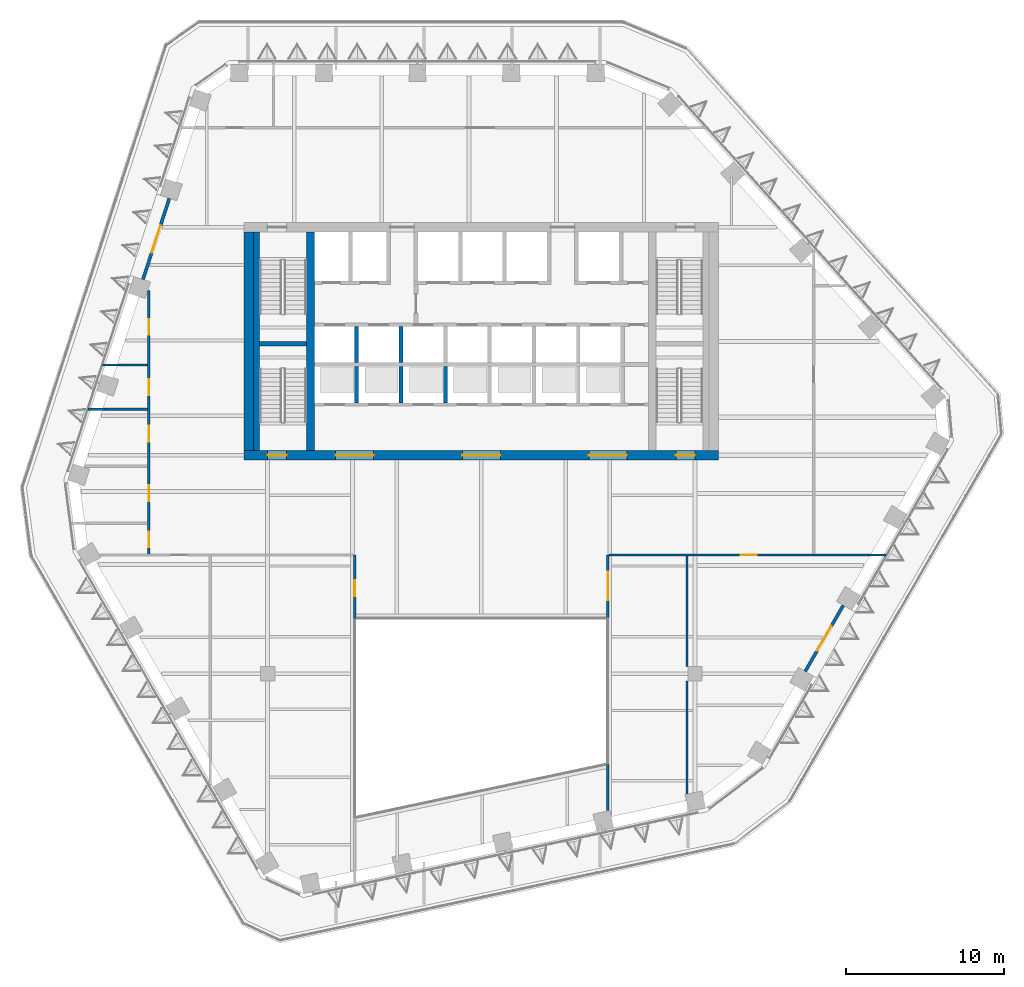
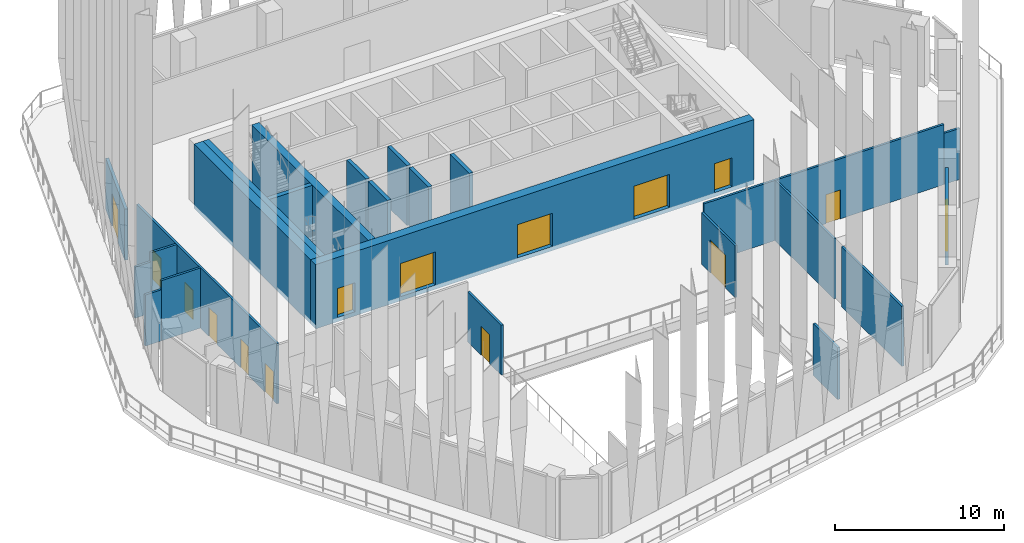
# One storey, part 9 of 21: 24 walls, 15 doors, 15 openings.
"""IFC4 building model written with IfcOpenShell, lengths in metres."""

from ifc_helpers import new_model, si_unit, direction, frame, frame_2d, origin, place, context, subcontext, project, spatial, rectangle, extrude, material, layer, layer_set, type_object, element, fill, save


model = new_model("IFC4")

# Units and contexts
model_context = context("Model", 3, precision=1e-05, world=origin(), true_north=direction((0.0, 1.0)))
body_context = subcontext(model_context, "Body", "Model", "MODEL_VIEW")
ifc_project = project(units=[si_unit("LENGTHUNIT", "METRE"), si_unit("AREAUNIT", "SQUARE_METRE"), si_unit("VOLUMEUNIT", "CUBIC_METRE"), si_unit("PLANEANGLEUNIT", "RADIAN"), si_unit("MASSUNIT", "GRAM", prefix="KILO")], contexts=[model_context])

# Site, building, storey
site_placement = place(None, origin())
site = spatial("IfcSite", under=ifc_project, at=site_placement, CompositionType="ELEMENT")
building_placement = place(site_placement, origin())
building = spatial("IfcBuilding", under=site, at=building_placement, Name="Isthmus Gate Tower", CompositionType="ELEMENT")
storey_placement = place(building_placement, frame((0.0, 0.0, 211.800048828125)))
storey = spatial("IfcBuildingStorey", under=building, at=storey_placement, Name="L53", CompositionType="ELEMENT", Elevation=211.800048828125)

# Wall, opening, door
ifc_material_1 = material(Name="Gypsum board on cold-formed steel studs", Category="steel")
ifc_layer_1 = layer(ifc_material_1, 0.14990234375)
ifc_layer_set_1 = layer_set([ifc_layer_1])
wall_type_1 = type_object("IfcWallType", Name="Partition 150 gypsum board on steel studs", PredefinedType="PARTITIONING", material=ifc_layer_set_1)
wall_1_placement = place(storey_placement, frame((8.074951171875, -6.0, 0.0), z_axis=(0.0, 0.0, 1.0), x_axis=(1.0, 0.0, 0.0)))
wall_1 = element("IfcWall", 1, at=wall_1_placement, inside=storey, type_object=wall_type_1, Name="Partition", PredefinedType="PARTITIONING", context=body_context, shape_type="SweptSolid", body=[
    extrude(rectangle(XDim=16.4150390625, YDim=0.14990234375, at=frame_2d((8.20751953125, 0.0))), origin(), (0.0, 0.0, 1.0), 4.349853515625),
])
opening_1_placement = place(wall_1_placement, frame((8.324951171875, 0.0, 0.0)))
opening_1 = element("IfcOpeningElement", 2, at=opening_1_placement, cuts=wall_1, Name="Opening DP53-12", PredefinedType="OPENING", context=body_context, shape_type="SweptSolid", body=[
    extrude(rectangle(XDim=1.0, YDim=2.10009765625, at=frame_2d((0.5, 1.050048828125))), frame((0.0, 0.0849609375, 0.0), z_axis=(0.0, -1.0, 0.0), x_axis=(1.0, 0.0, 0.0)), (0.0, 0.0, 1.0), 0.169921875),
])
ifc_material_2 = material(Name="Hollow metal frame with solid-core timber leaf", Category="wood")
door_type_1 = type_object("IfcDoorType", Name="Single swing door 1000 x 2100", OperationType="SINGLE_SWING_LEFT", PredefinedType="DOOR", material=ifc_material_2)
door_1_placement = place(opening_1_placement, origin())
door_1 = element("IfcDoor", 3, at=door_1_placement, inside=storey, type_object=door_type_1, Name="Door DP53-12", OperationType="SINGLE_SWING_LEFT", OverallHeight=2.10009765625, OverallWidth=1.0, PredefinedType="DOOR", context=body_context, shape_type="SweptSolid", body=[
    extrude(rectangle(XDim=1.0, YDim=2.10009765625, at=frame_2d((0.5, 1.050048828125))), frame((0.0, 0.02490234375, 0.0), z_axis=(0.0, -1.0, 0.0), x_axis=(1.0, 0.0, 0.0)), (0.0, 0.0, 1.0), 0.050048828125),
])
fill(opening_1, door_1)

# Walls
wall_2_placement = place(storey_placement, frame((24.489990234375, -6.0, 0.0), z_axis=(0.0, 0.0, 1.0), x_axis=(1.0, 0.0, 0.0)))
element("IfcWall", 4, at=wall_2_placement, inside=storey, type_object=wall_type_1, Name="Partition", PredefinedType="PARTITIONING", context=body_context, shape_type="SweptSolid", body=[
    extrude(rectangle(XDim=1.08349609375, YDim=0.14990234375, at=frame_2d((0.541748046875, 0.0))), origin(), (0.0, 0.0, 1.0), 3.699951171875),
])
wall_3_placement = place(storey_placement, frame((-24.84228515625, 3.199951171875, 0.0), z_axis=(0.0, 0.0, 1.0), x_axis=(1.0, 0.0, 0.0)))
element("IfcWall", 5, at=wall_3_placement, inside=storey, type_object=wall_type_1, Name="Partition", PredefinedType="PARTITIONING", context=body_context, shape_type="SweptSolid", body=[
    extrude(rectangle(XDim=1.091064453125, YDim=0.14990234375, at=frame_2d((0.54541015625, 0.0))), origin(), (0.0, 0.0, 1.0), 3.699951171875),
])
wall_4_placement = place(storey_placement, frame((-23.751220703125, 3.199951171875, 0.0), z_axis=(0.0, 0.0, 1.0), x_axis=(1.0, 0.0, 0.0)))
element("IfcWall", 6, at=wall_4_placement, inside=storey, type_object=wall_type_1, Name="Partition", PredefinedType="PARTITIONING", context=body_context, shape_type="SweptSolid", body=[
    extrude(rectangle(XDim=2.67626953125, YDim=0.14990234375, at=frame_2d((1.338134765625, 0.0))), origin(), (0.0, 0.0, 1.0), 4.349853515625),
])
wall_5_placement = place(storey_placement, frame((-23.9326171875, 6.0, 0.0), z_axis=(0.0, 0.0, 1.0), x_axis=(1.0, 0.0, 0.0)))
element("IfcWall", 7, at=wall_5_placement, inside=storey, type_object=wall_type_1, Name="Partition", PredefinedType="PARTITIONING", context=body_context, shape_type="SweptSolid", body=[
    extrude(rectangle(XDim=1.091064453125, YDim=0.14990234375, at=frame_2d((0.54541015625, 0.0))), origin(), (0.0, 0.0, 1.0), 3.699951171875),
])
wall_6_placement = place(storey_placement, frame((-22.841552734375, 6.0, 0.0), z_axis=(0.0, 0.0, 1.0), x_axis=(1.0, 0.0, 0.0)))
element("IfcWall", 8, at=wall_6_placement, inside=storey, type_object=wall_type_1, Name="Partition", PredefinedType="PARTITIONING", context=body_context, shape_type="SweptSolid", body=[
    extrude(rectangle(XDim=1.7666015625, YDim=0.14990234375, at=frame_2d((0.88330078125, 0.0))), origin(), (0.0, 0.0, 1.0), 4.349853515625),
])

# Wall, openings, doors
wall_7_placement = place(storey_placement, frame((-21.0, -5.925048828125, 0.0), z_axis=(0.0, 0.0, 1.0), x_axis=(0.0, 1.0, 0.0)))
wall_7 = element("IfcWall", 9, at=wall_7_placement, inside=storey, type_object=wall_type_1, Name="Partition", PredefinedType="PARTITIONING", context=body_context, shape_type="SweptSolid", body=[
    extrude(rectangle(XDim=16.636962890625, YDim=0.14990234375, at=frame_2d((8.318359375, 0.0))), origin(), (0.0, 0.0, 1.0), 4.349853515625),
])
opening_2_placement = place(wall_7_placement, frame((0.39990234375, 0.0, 0.0)))
opening_2 = element("IfcOpeningElement", 10, at=opening_2_placement, cuts=wall_7, Name="Opening DP53-03", PredefinedType="OPENING", context=body_context, shape_type="SweptSolid", body=[
    extrude(rectangle(XDim=1.0, YDim=2.10009765625, at=frame_2d((0.5, 1.050048828125))), frame((0.0, 0.0849609375, 0.0), z_axis=(0.0, -1.0, 0.0), x_axis=(1.0, 0.0, 0.0)), (0.0, 0.0, 1.0), 0.169921875),
])
opening_3_placement = place(wall_7_placement, frame((3.324951171875, 0.0, 0.0)))
opening_3 = element("IfcOpeningElement", 11, at=opening_3_placement, cuts=wall_7, Name="Opening DP53-04", PredefinedType="OPENING", context=body_context, shape_type="SweptSolid", body=[
    extrude(rectangle(XDim=1.0, YDim=2.10009765625, at=frame_2d((0.5, 1.050048828125))), frame((0.0, 0.0849609375, 0.0), z_axis=(0.0, -1.0, 0.0), x_axis=(1.0, 0.0, 0.0)), (0.0, 0.0, 1.0), 0.169921875),
])
opening_4_placement = place(wall_7_placement, frame((7.074951171875, 0.0, 0.0)))
opening_4 = element("IfcOpeningElement", 12, at=opening_4_placement, cuts=wall_7, Name="Opening DP53-05", PredefinedType="OPENING", context=body_context, shape_type="SweptSolid", body=[
    extrude(rectangle(XDim=1.0, YDim=2.10009765625, at=frame_2d((0.5, 1.050048828125))), frame((0.0, 0.0849609375, 0.0), z_axis=(0.0, -1.0, 0.0), x_axis=(1.0, 0.0, 0.0)), (0.0, 0.0, 1.0), 0.169921875),
])
opening_5_placement = place(wall_7_placement, frame((10.02490234375, 0.0, 0.0)))
opening_5 = element("IfcOpeningElement", 13, at=opening_5_placement, cuts=wall_7, Name="Opening DP53-06", PredefinedType="OPENING", context=body_context, shape_type="SweptSolid", body=[
    extrude(rectangle(XDim=1.0, YDim=2.10009765625, at=frame_2d((0.5, 1.050048828125))), frame((0.0, 0.0849609375, 0.0), z_axis=(0.0, -1.0, 0.0), x_axis=(1.0, 0.0, 0.0)), (0.0, 0.0, 1.0), 0.169921875),
])
opening_6_placement = place(wall_7_placement, frame((13.824951171875, 0.0, 0.0)))
opening_6 = element("IfcOpeningElement", 14, at=opening_6_placement, cuts=wall_7, Name="Opening DP53-07", PredefinedType="OPENING", context=body_context, shape_type="SweptSolid", body=[
    extrude(rectangle(XDim=1.0, YDim=2.10009765625, at=frame_2d((0.5, 1.050048828125))), frame((0.0, 0.0849609375, 0.0), z_axis=(0.0, -1.0, 0.0), x_axis=(1.0, 0.0, 0.0)), (0.0, 0.0, 1.0), 0.169921875),
])
door_2_placement = place(opening_2_placement, origin())
door_2 = element("IfcDoor", 15, at=door_2_placement, inside=storey, type_object=door_type_1, Name="Door DP53-03", OperationType="SINGLE_SWING_LEFT", OverallHeight=2.10009765625, OverallWidth=1.0, PredefinedType="DOOR", context=body_context, shape_type="SweptSolid", body=[
    extrude(rectangle(XDim=1.0, YDim=2.10009765625, at=frame_2d((0.5, 1.050048828125))), frame((0.0, 0.02490234375, 0.0), z_axis=(0.0, -1.0, 0.0), x_axis=(1.0, 0.0, 0.0)), (0.0, 0.0, 1.0), 0.050048828125),
])
fill(opening_2, door_2)
door_3_placement = place(opening_3_placement, origin())
door_3 = element("IfcDoor", 16, at=door_3_placement, inside=storey, type_object=door_type_1, Name="Door DP53-04", OperationType="SINGLE_SWING_LEFT", OverallHeight=2.10009765625, OverallWidth=1.0, PredefinedType="DOOR", context=body_context, shape_type="SweptSolid", body=[
    extrude(rectangle(XDim=1.0, YDim=2.10009765625, at=frame_2d((0.5, 1.050048828125))), frame((0.0, 0.02490234375, 0.0), z_axis=(0.0, -1.0, 0.0), x_axis=(1.0, 0.0, 0.0)), (0.0, 0.0, 1.0), 0.050048828125),
])
fill(opening_3, door_3)
door_4_placement = place(opening_4_placement, origin())
door_4 = element("IfcDoor", 17, at=door_4_placement, inside=storey, type_object=door_type_1, Name="Door DP53-05", OperationType="SINGLE_SWING_LEFT", OverallHeight=2.10009765625, OverallWidth=1.0, PredefinedType="DOOR", context=body_context, shape_type="SweptSolid", body=[
    extrude(rectangle(XDim=1.0, YDim=2.10009765625, at=frame_2d((0.5, 1.050048828125))), frame((0.0, 0.02490234375, 0.0), z_axis=(0.0, -1.0, 0.0), x_axis=(1.0, 0.0, 0.0)), (0.0, 0.0, 1.0), 0.050048828125),
])
fill(opening_4, door_4)
door_5_placement = place(opening_5_placement, origin())
door_5 = element("IfcDoor", 18, at=door_5_placement, inside=storey, type_object=door_type_1, Name="Door DP53-06", OperationType="SINGLE_SWING_LEFT", OverallHeight=2.10009765625, OverallWidth=1.0, PredefinedType="DOOR", context=body_context, shape_type="SweptSolid", body=[
    extrude(rectangle(XDim=1.0, YDim=2.10009765625, at=frame_2d((0.5, 1.050048828125))), frame((0.0, 0.02490234375, 0.0), z_axis=(0.0, -1.0, 0.0), x_axis=(1.0, 0.0, 0.0)), (0.0, 0.0, 1.0), 0.050048828125),
])
fill(opening_5, door_5)
door_6_placement = place(opening_6_placement, origin())
door_6 = element("IfcDoor", 19, at=door_6_placement, inside=storey, type_object=door_type_1, Name="Door DP53-07", OperationType="SINGLE_SWING_LEFT", OverallHeight=2.10009765625, OverallWidth=1.0, PredefinedType="DOOR", context=body_context, shape_type="SweptSolid", body=[
    extrude(rectangle(XDim=1.0, YDim=2.10009765625, at=frame_2d((0.5, 1.050048828125))), frame((0.0, 0.02490234375, 0.0), z_axis=(0.0, -1.0, 0.0), x_axis=(1.0, 0.0, 0.0)), (0.0, 0.0, 1.0), 0.050048828125),
])
fill(opening_6, door_6)

# Wall, opening, door
wall_8_placement = place(storey_placement, frame((-8.0, -10.0, 0.0), z_axis=(0.0, 0.0, 1.0), x_axis=(0.0, 1.0, 0.0)))
wall_8 = element("IfcWall", 20, at=wall_8_placement, inside=storey, type_object=wall_type_1, Name="Partition", PredefinedType="PARTITIONING", context=body_context, shape_type="SweptSolid", body=[
    extrude(rectangle(XDim=4.0, YDim=0.14990234375, at=frame_2d((2.0, 0.0))), origin(), (0.0, 0.0, 1.0), 3.6005859375),
])
opening_7_placement = place(wall_8_placement, frame((1.39990234375, 0.0, 0.0)))
opening_7 = element("IfcOpeningElement", 21, at=opening_7_placement, cuts=wall_8, Name="Opening DP53-10", PredefinedType="OPENING", context=body_context, shape_type="SweptSolid", body=[
    extrude(rectangle(XDim=1.0, YDim=2.10009765625, at=frame_2d((0.5, 1.050048828125))), frame((0.0, 0.0849609375, 0.0), z_axis=(0.0, -1.0, 0.0), x_axis=(1.0, 0.0, 0.0)), (0.0, 0.0, 1.0), 0.169921875),
])
door_7_placement = place(opening_7_placement, origin())
door_7 = element("IfcDoor", 22, at=door_7_placement, inside=storey, type_object=door_type_1, Name="Door DP53-10", OperationType="SINGLE_SWING_LEFT", OverallHeight=2.10009765625, OverallWidth=1.0, PredefinedType="DOOR", context=body_context, shape_type="SweptSolid", body=[
    extrude(rectangle(XDim=1.0, YDim=2.10009765625, at=frame_2d((0.5, 1.050048828125))), frame((0.0, 0.02490234375, 0.0), z_axis=(0.0, -1.0, 0.0), x_axis=(1.0, 0.0, 0.0)), (0.0, 0.0, 1.0), 0.050048828125),
])
fill(opening_7, door_7)

# Wall
wall_9_placement = place(storey_placement, frame((8.0, -22.158935546875, 0.0), z_axis=(0.0, 0.0, 1.0), x_axis=(0.0, 1.0, 0.0)))
element("IfcWall", 23, at=wall_9_placement, inside=storey, type_object=wall_type_1, Name="Partition", PredefinedType="PARTITIONING", context=body_context, shape_type="SweptSolid", body=[
    extrude(rectangle(XDim=2.90771484375, YDim=0.14990234375, at=frame_2d((1.453857421875, 0.0))), origin(), (0.0, 0.0, 1.0), 3.74365234375),
])

# Wall, opening, door
wall_10_placement = place(storey_placement, frame((8.0, -10.0, 0.0), z_axis=(0.0, 0.0, 1.0), x_axis=(0.0, 1.0, 0.0)))
wall_10 = element("IfcWall", 24, at=wall_10_placement, inside=storey, type_object=wall_type_1, Name="Partition", PredefinedType="PARTITIONING", context=body_context, shape_type="SweptSolid", body=[
    extrude(rectangle(XDim=4.0, YDim=0.14990234375, at=frame_2d((2.0, 0.0))), origin(), (0.0, 0.0, 1.0), 3.74365234375),
])
opening_8_placement = place(wall_10_placement, frame((1.14990234375, 0.0, 0.0)))
opening_8 = element("IfcOpeningElement", 25, at=opening_8_placement, cuts=wall_10, Name="Opening DP53-11", PredefinedType="OPENING", context=body_context, shape_type="SweptSolid", body=[
    extrude(rectangle(XDim=1.800048828125, YDim=2.39990234375, at=frame_2d((0.89990234375, 1.199951171875))), frame((0.0, 0.0849609375, 0.0), z_axis=(0.0, -1.0, 0.0), x_axis=(1.0, 0.0, 0.0)), (0.0, 0.0, 1.0), 0.169921875),
])
ifc_material_3 = material(Name="Hollow metal frame with solid-core timber leaves", Category="wood")
door_type_2 = type_object("IfcDoorType", Name="Double swing door 1800 x 2400", OperationType="DOUBLE_DOOR_SINGLE_SWING", PredefinedType="DOOR", material=ifc_material_3)
door_8_placement = place(opening_8_placement, origin())
door_8 = element("IfcDoor", 26, at=door_8_placement, inside=storey, type_object=door_type_2, Name="Door DP53-11", OperationType="SINGLE_SWING_LEFT", OverallHeight=2.39990234375, OverallWidth=1.800048828125, PredefinedType="DOOR", context=body_context, shape_type="SweptSolid", body=[
    extrude(rectangle(XDim=1.800048828125, YDim=2.39990234375, at=frame_2d((0.89990234375, 1.199951171875))), frame((0.0, 0.02490234375, 0.0), z_axis=(0.0, -1.0, 0.0), x_axis=(1.0, 0.0, 0.0)), (0.0, 0.0, 1.0), 0.050048828125),
])
fill(opening_8, door_8)

# Walls
wall_11_placement = place(storey_placement, frame((13.0, -21.09619140625, 0.0), z_axis=(0.0, 0.0, 1.0), x_axis=(0.0, 1.0, 0.0)))
element("IfcWall", 27, at=wall_11_placement, inside=storey, type_object=wall_type_1, Name="Partition", PredefinedType="PARTITIONING", context=body_context, shape_type="SweptSolid", body=[
    extrude(rectangle(XDim=7.146240234375, YDim=0.14990234375, at=frame_2d((3.5732421875, 0.0))), origin(), (0.0, 0.0, 1.0), 4.349853515625),
])
wall_12_placement = place(storey_placement, frame((13.0, -13.050048828125, 0.0), z_axis=(0.0, 0.0, 1.0), x_axis=(0.0, 1.0, 0.0)))
element("IfcWall", 28, at=wall_12_placement, inside=storey, type_object=wall_type_1, Name="Partition", PredefinedType="PARTITIONING", context=body_context, shape_type="SweptSolid", body=[
    extrude(rectangle(XDim=6.97509765625, YDim=0.14990234375, at=frame_2d((3.487548828125, 0.0))), origin(), (0.0, 0.0, 1.0), 4.349853515625),
])
ifc_material_4 = material(Name="Concrete f'c 50 MPa", Category="concrete")
ifc_layer_2 = layer(ifc_material_4, 0.5)
ifc_layer_set_2 = layer_set([ifc_layer_2], Name="RC CORE SPINE WALL 500 F'C 50")
wall_type_2 = type_object("IfcWallType", Name="RC CORE SPINE WALL 500 F'C 50", PredefinedType="SOLIDWALL", material=ifc_layer_set_2)
wall_13_placement = place(storey_placement, frame((-10.800048828125, 0.60009765625, -0.300048828125), z_axis=(0.0, 0.0, 1.0), x_axis=(0.0, 1.0, 0.0)))
element("IfcWall", 29, at=wall_13_placement, inside=storey, type_object=wall_type_2, Name="str-corewall-L53-SPW", PredefinedType="SOLIDWALL", context=body_context, shape_type="SweptSolid", body=[
    extrude(rectangle(XDim=13.7998046875, YDim=0.5, at=frame_2d((6.89990234375, 0.0))), origin(), (0.0, 0.0, 1.0), 4.64990234375),
])

# Wall, openings, doors
ifc_material_5 = material(Name="Concrete f'c 50 MPa", Category="concrete")
ifc_layer_3 = layer(ifc_material_5, 0.60009765625)
ifc_layer_set_3 = layer_set([ifc_layer_3], Name="RC CORE WALL 600 F'C 50")
wall_type_3 = type_object("IfcWallType", Name="RC CORE WALL 600 F'C 50", PredefinedType="SOLIDWALL", material=ifc_layer_set_3)
wall_14_placement = place(storey_placement, frame((-15.0, 0.300048828125, -0.300048828125), z_axis=(0.0, 0.0, 1.0), x_axis=(1.0, 0.0, 0.0)))
wall_14 = element("IfcWall", 30, at=wall_14_placement, inside=storey, type_object=wall_type_3, Name="str-corewall-L53-S", PredefinedType="SOLIDWALL", context=body_context, shape_type="SweptSolid", body=[
    extrude(rectangle(XDim=30.0, YDim=0.60009765625, at=frame_2d((15.0, 0.0))), origin(), (0.0, 0.0, 1.0), 4.64990234375),
])
opening_9_placement = place(wall_14_placement, frame((5.800048828125, 0.0, 0.300048828125)))
opening_9 = element("IfcOpeningElement", 31, at=opening_9_placement, cuts=wall_14, Name="Opening DC-A15-05", PredefinedType="OPENING", context=body_context, shape_type="SweptSolid", body=[
    extrude(rectangle(XDim=2.39990234375, YDim=2.39990234375, at=frame_2d((1.199951171875, 1.199951171875))), frame((0.0, 0.31005859375, 0.0), z_axis=(0.0, -1.0, 0.0), x_axis=(1.0, 0.0, 0.0)), (0.0, 0.0, 1.0), 0.6201171875),
])
opening_10_placement = place(wall_14_placement, frame((13.800048828125, 0.0, 0.300048828125)))
opening_10 = element("IfcOpeningElement", 32, at=opening_10_placement, cuts=wall_14, Name="Opening DC-A15-06", PredefinedType="OPENING", context=body_context, shape_type="SweptSolid", body=[
    extrude(rectangle(XDim=2.39990234375, YDim=2.39990234375, at=frame_2d((1.199951171875, 1.199951171875))), frame((0.0, 0.31005859375, 0.0), z_axis=(0.0, -1.0, 0.0), x_axis=(1.0, 0.0, 0.0)), (0.0, 0.0, 1.0), 0.6201171875),
])
opening_11_placement = place(wall_14_placement, frame((21.800048828125, 0.0, 0.300048828125)))
opening_11 = element("IfcOpeningElement", 33, at=opening_11_placement, cuts=wall_14, Name="Opening DC-A15-07", PredefinedType="OPENING", context=body_context, shape_type="SweptSolid", body=[
    extrude(rectangle(XDim=2.39990234375, YDim=2.39990234375, at=frame_2d((1.199951171875, 1.199951171875))), frame((0.0, 0.31005859375, 0.0), z_axis=(0.0, -1.0, 0.0), x_axis=(1.0, 0.0, 0.0)), (0.0, 0.0, 1.0), 0.6201171875),
])
opening_12_placement = place(wall_14_placement, frame((1.5, 0.0, 0.300048828125)))
opening_12 = element("IfcOpeningElement", 34, at=opening_12_placement, cuts=wall_14, Name="Opening DC-A15-12", PredefinedType="OPENING", context=body_context, shape_type="SweptSolid", body=[
    extrude(rectangle(XDim=1.199951171875, YDim=2.10009765625, at=frame_2d((0.60009765625, 1.050048828125))), frame((0.0, 0.31005859375, 0.0), z_axis=(0.0, -1.0, 0.0), x_axis=(1.0, 0.0, 0.0)), (0.0, 0.0, 1.0), 0.6201171875),
])
opening_13_placement = place(wall_14_placement, frame((27.300048828125, 0.0, 0.300048828125)))
opening_13 = element("IfcOpeningElement", 35, at=opening_13_placement, cuts=wall_14, Name="Opening DC-A15-13", PredefinedType="OPENING", context=body_context, shape_type="SweptSolid", body=[
    extrude(rectangle(XDim=1.199951171875, YDim=2.10009765625, at=frame_2d((0.60009765625, 1.050048828125))), frame((0.0, 0.31005859375, 0.0), z_axis=(0.0, -1.0, 0.0), x_axis=(1.0, 0.0, 0.0)), (0.0, 0.0, 1.0), 0.6201171875),
])
ifc_material_6 = material(Name="Laminated safety glass in steel frame, fire-rated", Category="steel")
door_type_3 = type_object("IfcDoorType", Name="LOBBY ENTRANCE FIRE DOOR 2400 X 2400 60 MIN", OperationType="DOUBLE_DOOR_DOUBLE_SWING", PredefinedType="DOOR", material=ifc_material_6)
door_9_placement = place(opening_9_placement, origin())
door_9 = element("IfcDoor", 36, at=door_9_placement, inside=storey, type_object=door_type_3, Name="Lobby Entrance PS-W", OperationType="DOUBLE_DOOR_DOUBLE_SWING", OverallHeight=2.39990234375, OverallWidth=2.39990234375, PredefinedType="DOOR", context=body_context, shape_type="SweptSolid", body=[
    extrude(rectangle(XDim=2.39990234375, YDim=2.39990234375, at=frame_2d((1.199951171875, 1.199951171875))), frame((0.0, 0.02490234375, 0.0), z_axis=(0.0, -1.0, 0.0), x_axis=(1.0, 0.0, 0.0)), (0.0, 0.0, 1.0), 0.050048828125),
])
fill(opening_9, door_9)
door_10_placement = place(opening_10_placement, origin())
door_10 = element("IfcDoor", 37, at=door_10_placement, inside=storey, type_object=door_type_3, Name="Lobby Entrance PS-C", OperationType="DOUBLE_DOOR_DOUBLE_SWING", OverallHeight=2.39990234375, OverallWidth=2.39990234375, PredefinedType="DOOR", context=body_context, shape_type="SweptSolid", body=[
    extrude(rectangle(XDim=2.39990234375, YDim=2.39990234375, at=frame_2d((1.199951171875, 1.199951171875))), frame((0.0, 0.02490234375, 0.0), z_axis=(0.0, -1.0, 0.0), x_axis=(1.0, 0.0, 0.0)), (0.0, 0.0, 1.0), 0.050048828125),
])
fill(opening_10, door_10)
door_11_placement = place(opening_11_placement, origin())
door_11 = element("IfcDoor", 38, at=door_11_placement, inside=storey, type_object=door_type_3, Name="Lobby Entrance PS-E", OperationType="DOUBLE_DOOR_DOUBLE_SWING", OverallHeight=2.39990234375, OverallWidth=2.39990234375, PredefinedType="DOOR", context=body_context, shape_type="SweptSolid", body=[
    extrude(rectangle(XDim=2.39990234375, YDim=2.39990234375, at=frame_2d((1.199951171875, 1.199951171875))), frame((0.0, 0.02490234375, 0.0), z_axis=(0.0, -1.0, 0.0), x_axis=(1.0, 0.0, 0.0)), (0.0, 0.0, 1.0), 0.050048828125),
])
fill(opening_11, door_11)
ifc_material_7 = material(Name="Steel door leaf, fire-rated", Category="steel")
door_type_4 = type_object("IfcDoorType", Name="STAIR FIRE DOOR 1200 X 2100 90 MIN", OperationType="SINGLE_SWING_LEFT", PredefinedType="DOOR", material=ifc_material_7)
door_12_placement = place(opening_12_placement, origin())
door_12 = element("IfcDoor", 39, at=door_12_placement, inside=storey, type_object=door_type_4, Name="Exit Stair 7 Door", OperationType="SINGLE_SWING_LEFT", OverallHeight=2.10009765625, OverallWidth=1.199951171875, PredefinedType="DOOR", context=body_context, shape_type="SweptSolid", body=[
    extrude(rectangle(XDim=1.199951171875, YDim=2.10009765625, at=frame_2d((0.60009765625, 1.050048828125))), frame((0.0, 0.02490234375, 0.0), z_axis=(0.0, -1.0, 0.0), x_axis=(1.0, 0.0, 0.0)), (0.0, 0.0, 1.0), 0.050048828125),
])
fill(opening_12, door_12)
door_13_placement = place(opening_13_placement, origin())
door_13 = element("IfcDoor", 40, at=door_13_placement, inside=storey, type_object=door_type_4, Name="Exit Stair 8 Door", OperationType="SINGLE_SWING_RIGHT", OverallHeight=2.10009765625, OverallWidth=1.199951171875, PredefinedType="DOOR", context=body_context, shape_type="SweptSolid", body=[
    extrude(rectangle(XDim=1.199951171875, YDim=2.10009765625, at=frame_2d((0.60009765625, 1.050048828125))), frame((0.0, 0.02490234375, 0.0), z_axis=(0.0, -1.0, 0.0), x_axis=(1.0, 0.0, 0.0)), (0.0, 0.0, 1.0), 0.050048828125),
])
fill(opening_13, door_13)

# Walls
wall_15_placement = place(storey_placement, frame((-14.699951171875, 0.60009765625, -0.300048828125), z_axis=(0.0, 0.0, 1.0), x_axis=(0.0, 1.0, 0.0)))
element("IfcWall", 41, at=wall_15_placement, inside=storey, type_object=wall_type_3, Name="str-corewall-L53-W", PredefinedType="SOLIDWALL", context=body_context, shape_type="SweptSolid", body=[
    extrude(rectangle(XDim=13.7998046875, YDim=0.60009765625, at=frame_2d((6.89990234375, 0.0))), origin(), (0.0, 0.0, 1.0), 4.64990234375),
])
ifc_material_8 = material(Name="Fire-rated blockwork masonry, 15 MPa", Category="masonry")
ifc_layer_4 = layer(ifc_material_8, 0.25)
ifc_layer_set_4 = layer_set([ifc_layer_4], Name="SHAFT WALL 250 120 MIN")
wall_type_4 = type_object("IfcWallType", Name="SHAFT WALL 250 120 MIN", PredefinedType="PARTITIONING", material=ifc_layer_set_4)
for number, where, z_axis, x_axis, name in (
    (42, (-7.875, 3.60009765625, 0.0), (0.0, 0.0, 1.0), (0.0, 1.0, 0.0), "L53 SHAFT WALL 250 120 MIN"),
    (43, (-5.074951171875, 3.60009765625, 0.0), (0.0, 0.0, 1.0), (0.0, 1.0, 0.0), "L53 SHAFT WALL 250 120 MIN"),
    (44, (-2.27490234375, 3.60009765625, 0.0), (0.0, 0.0, 1.0), (0.0, 1.0, 0.0), "L53 SHAFT WALL 250 120 MIN"),
):
    element("IfcWall", number, at=place(storey_placement, frame(where, z_axis=z_axis, x_axis=x_axis)), inside=storey, type_object=wall_type_4, Name=name, PredefinedType="PARTITIONING", context=body_context, shape_type="SweptSolid", body=[
        extrude(rectangle(XDim=2.2998046875, YDim=0.25, at=frame_2d((1.14990234375, 0.0))), origin(), (0.0, 0.0, 1.0), 4.349853515625),
    ])
for number, where, z_axis, x_axis, name in (
    (45, (-7.875, 6.14990234375, 0.0), (0.0, 0.0, 1.0), (0.0, 1.0, 0.0), "L53 SHAFT WALL 250 120 MIN"),
    (46, (-5.074951171875, 6.14990234375, 0.0), (0.0, 0.0, 1.0), (0.0, 1.0, 0.0), "L53 SHAFT WALL 250 120 MIN"),
):
    element("IfcWall", number, at=place(storey_placement, frame(where, z_axis=z_axis, x_axis=x_axis)), inside=storey, type_object=wall_type_4, Name=name, PredefinedType="PARTITIONING", context=body_context, shape_type="SweptSolid", body=[
        extrude(rectangle(XDim=2.300048828125, YDim=0.25, at=frame_2d((1.14990234375, 0.0))), origin(), (0.0, 0.0, 1.0), 4.349853515625),
    ])
ifc_material_9 = material(Name="Concrete f'c 40 MPa", Category="concrete")
ifc_layer_5 = layer(ifc_material_9, 0.300048828125)
ifc_layer_set_5 = layer_set([ifc_layer_5], Name="STAIR ENCLOSURE WALL 300 180 MIN")
wall_type_5 = type_object("IfcWallType", Name="STAIR ENCLOSURE WALL 300 180 MIN", PredefinedType="SOLIDWALL", material=ifc_layer_set_5)
wall_16_placement = place(storey_placement, frame((-14.0, 7.35009765625, 0.0), z_axis=(0.0, 0.0, 1.0), x_axis=(1.0, 0.0, 0.0)))
element("IfcWall", 47, at=wall_16_placement, inside=storey, type_object=wall_type_5, Name="L53 STAIR ENCLOSURE WALL 300 180 MIN", PredefinedType="SOLIDWALL", context=body_context, shape_type="SweptSolid", body=[
    extrude(rectangle(XDim=2.949951171875, YDim=0.300048828125, at=frame_2d((1.47509765625, 0.0))), origin(), (0.0, 0.0, 1.0), 4.349853515625),
])
ifc_material_10 = material(Name="Concrete f'c 40 MPa", Category="concrete")
ifc_layer_6 = layer(ifc_material_10, 0.39990234375)
ifc_layer_set_6 = layer_set([ifc_layer_6], Name="STAIR ENCLOSURE WALL 400 180 MIN")
wall_type_6 = type_object("IfcWallType", Name="STAIR ENCLOSURE WALL 400 180 MIN", PredefinedType="SOLIDWALL", material=ifc_layer_set_6)
wall_17_placement = place(storey_placement, frame((-14.199951171875, 0.60009765625, 0.0), z_axis=(0.0, 0.0, 1.0), x_axis=(0.0, 1.0, 0.0)))
element("IfcWall", 48, at=wall_17_placement, inside=storey, type_object=wall_type_6, Name="L53 STAIR ENCLOSURE WALL 400 180 MIN", PredefinedType="SOLIDWALL", context=body_context, shape_type="SweptSolid", body=[
    extrude(rectangle(XDim=13.7998046875, YDim=0.39990234375, at=frame_2d((6.89990234375, 0.0))), origin(), (0.0, 0.0, 1.0), 4.349853515625),
])

# Wall, opening, door
ifc_material_11 = material(Name="Precast concrete C40/50", Category="concrete")
ifc_layer_7 = layer(ifc_material_11, 0.199951171875)
ifc_layer_set_7 = layer_set([ifc_layer_7], Name="TERRACE DOOR WALL 200")
wall_type_7 = type_object("IfcWallType", Name="TERRACE DOOR WALL 200", PredefinedType="SOLIDWALL", material=ifc_layer_set_7)
wall_18_placement = place(storey_placement, frame((-19.70947265625, 16.5322265625, 0.0), z_axis=(0.0, 0.0, 1.0), x_axis=(-0.309032831924, -0.951051370218, 0.0)))
wall_18 = element("IfcWall", 49, at=wall_18_placement, inside=storey, type_object=wall_type_7, Name="TERRACE DOOR WALL", PredefinedType="SOLIDWALL", context=body_context, shape_type="SweptSolid", body=[
    extrude(rectangle(XDim=5.391845703125, YDim=0.199951171875, at=frame_2d((2.69580078125, 0.0))), origin(), (0.0, 0.0, 1.0), 3.699951171875),
])
opening_14_placement = place(wall_18_placement, frame((1.7958984375, 0.0, 0.0)))
opening_14 = element("IfcOpeningElement", 50, at=opening_14_placement, cuts=wall_18, Name="Opening DE53-01", PredefinedType="OPENING", context=body_context, shape_type="SweptSolid", body=[
    extrude(rectangle(XDim=1.800048828125, YDim=2.39990234375, at=frame_2d((0.89990234375, 1.199951171875))), frame((0.0, 0.10986328125, 0.0), z_axis=(0.0, -1.0, 0.0), x_axis=(1.0, 0.0, 0.0)), (0.0, 0.0, 1.0), 0.219970703125),
])
ifc_material_12 = material(Name="Aluminium and laminated glass", Category="aluminium")
door_type_5 = type_object("IfcDoorType", Name="TERRACE DOOR SLIDING 1800 X 2400", OperationType="DOUBLE_DOOR_SLIDING", PredefinedType="DOOR", material=ifc_material_12)
door_14_placement = place(opening_14_placement, origin())
door_14 = element("IfcDoor", 51, at=door_14_placement, inside=storey, type_object=door_type_5, Name="DOOR DE53-01", OperationType="SINGLE_SWING_LEFT", OverallHeight=2.39990234375, OverallWidth=1.800048828125, PredefinedType="DOOR", context=body_context, shape_type="SweptSolid", body=[
    extrude(rectangle(XDim=1.800048828125, YDim=2.39990234375, at=frame_2d((0.89990234375, 1.199951171875))), frame((0.0, 0.02490234375, 0.0), z_axis=(0.0, -1.0, 0.0), x_axis=(1.0, 0.0, 0.0)), (0.0, 0.0, 1.0), 0.050048828125),
])
fill(opening_14, door_14)

wall_19_placement = place(storey_placement, frame((20.4658203125, -13.352294921875, 0.0), z_axis=(0.0, 0.0, 1.0), x_axis=(0.49998164095, 0.866036003127, 0.0)))
wall_19 = element("IfcWall", 52, at=wall_19_placement, inside=storey, type_object=wall_type_7, Name="TERRACE DOOR WALL", PredefinedType="SOLIDWALL", context=body_context, shape_type="SweptSolid", body=[
    extrude(rectangle(XDim=4.810791015625, YDim=0.199951171875, at=frame_2d((2.4052734375, 0.0))), origin(), (0.0, 0.0, 1.0), 3.699951171875),
])
opening_15_placement = place(wall_19_placement, frame((1.50537109375, 0.0, 0.0)))
opening_15 = element("IfcOpeningElement", 53, at=opening_15_placement, cuts=wall_19, Name="Opening DE53-02", PredefinedType="OPENING", context=body_context, shape_type="SweptSolid", body=[
    extrude(rectangle(XDim=1.800048828125, YDim=2.39990234375, at=frame_2d((0.89990234375, 1.199951171875))), frame((0.0, 0.10986328125, 0.0), z_axis=(0.0, -1.0, 0.0), x_axis=(1.0, 0.0, 0.0)), (0.0, 0.0, 1.0), 0.219970703125),
])
door_15_placement = place(opening_15_placement, origin())
door_15 = element("IfcDoor", 54, at=door_15_placement, inside=storey, type_object=door_type_5, Name="DOOR DE53-02", OperationType="SINGLE_SWING_LEFT", OverallHeight=2.39990234375, OverallWidth=1.800048828125, PredefinedType="DOOR", context=body_context, shape_type="SweptSolid", body=[
    extrude(rectangle(XDim=1.800048828125, YDim=2.39990234375, at=frame_2d((0.89990234375, 1.199951171875))), frame((0.0, 0.02490234375, 0.0), z_axis=(0.0, -1.0, 0.0), x_axis=(1.0, 0.0, 0.0)), (0.0, 0.0, 1.0), 0.050048828125),
])
fill(opening_15, door_15)

save(model, "model.ifc")
